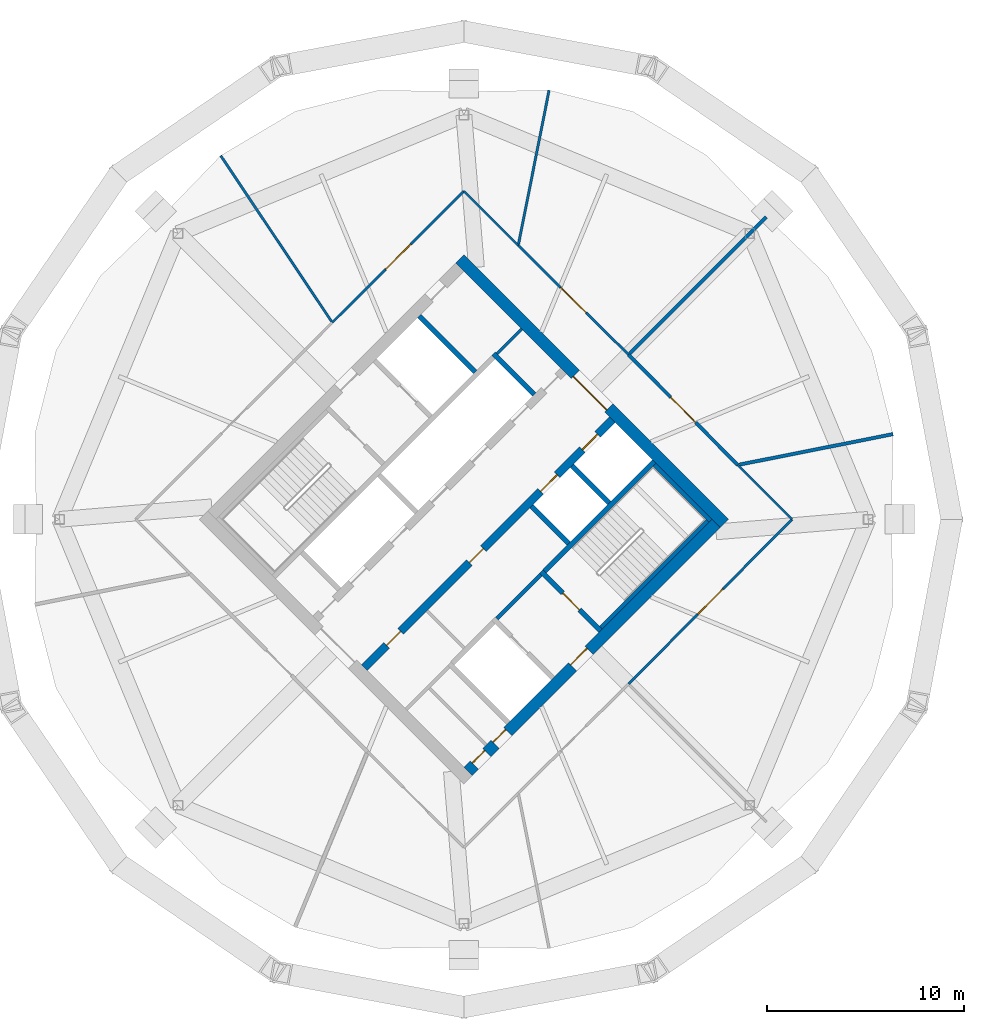
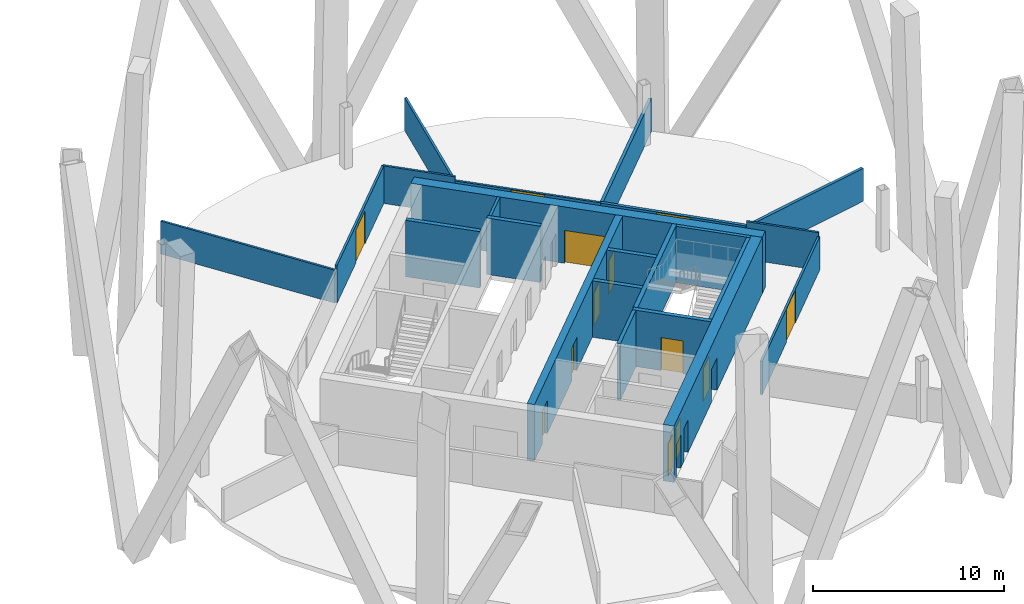
# One storey, part 7 of 10: 23 walls, 13 doors, 13 openings.
"""IFC4 building model written with IfcOpenShell, lengths in metres."""

from ifc_helpers import new_model, si_unit, direction, frame, frame_2d, origin, place, context, subcontext, project, spatial, rectangle, extrude, material, layer, layer_set, type_object, element, fill, save


model = new_model("IFC4")

# Units and contexts
model_context = context("Model", 3, precision=1e-05, world=origin(), true_north=direction((0.0, 1.0)))
body_context = subcontext(model_context, "Body", "Model", "MODEL_VIEW")
ifc_project = project(units=[si_unit("LENGTHUNIT", "METRE"), si_unit("AREAUNIT", "SQUARE_METRE"), si_unit("VOLUMEUNIT", "CUBIC_METRE"), si_unit("PLANEANGLEUNIT", "RADIAN"), si_unit("MASSUNIT", "GRAM", prefix="KILO")], contexts=[model_context])

# Site, building, storey
site_placement = place(None, origin())
site = spatial("IfcSite", under=ifc_project, at=site_placement, CompositionType="ELEMENT")
building_placement = place(site_placement, origin())
building = spatial("IfcBuilding", under=site, at=building_placement, Name="Ogive Gate Towers", CompositionType="ELEMENT")
storey_placement = place(building_placement, frame((0.0, 0.0, 185.10009765625)))
storey = spatial("IfcBuildingStorey", under=building, at=storey_placement, Name="L44", CompositionType="ELEMENT", Elevation=185.10009765625)

# Walls
ifc_material_1 = material(Name="Gypsum board acoustic partition")
ifc_layer_1 = layer(ifc_material_1, 0.175048828125)
ifc_layer_set_1 = layer_set([ifc_layer_1], Name="Acoustic partition 175")
wall_type_1 = type_object("IfcWallType", Name="Acoustic partition 175", PredefinedType="PARTITIONING", material=ifc_layer_set_1)
wall_1_placement = place(storey_placement, frame((57.784423828125, 4.324951171875, 0.0), z_axis=(0.0, 0.0, 1.0), x_axis=(-0.980858380129, -0.19472246437, 0.0)))
element("IfcWall", 1, at=wall_1_placement, inside=storey, type_object=wall_type_1, Name="Partition T2-L44-001", PredefinedType="PARTITIONING", context=body_context, shape_type="SweptSolid", body=[
    extrude(rectangle(XDim=7.951416015625, YDim=0.175048828125, at=frame_2d((3.9755859375, 0.0))), origin(), (0.0, 0.0, 1.0), 2.099853515625),
])
wall_2_placement = place(storey_placement, frame((51.3505859375, 15.3505859375, 0.0), z_axis=(0.0, 0.0, 1.0), x_axis=(-0.707106781187, -0.707106781187, 0.0)))
element("IfcWall", 2, at=wall_2_placement, inside=storey, type_object=wall_type_1, Name="Partition T2-L44-002", PredefinedType="PARTITIONING", context=body_context, shape_type="SweptSolid", body=[
    extrude(rectangle(XDim=9.801513671875, YDim=0.175048828125, at=frame_2d((4.90087890625, 0.0))), origin(), (0.0, 0.0, 1.0), 2.099853515625),
])

# Wall, opening, door
wall_3_placement = place(storey_placement, frame((49.8994140625, 2.759521484375, 0.0), z_axis=(0.0, 0.0, 1.0), x_axis=(-0.703486838198, 0.710708286488, 0.0)))
wall_3 = element("IfcWall", 3, at=wall_3_placement, inside=storey, type_object=wall_type_1, Name="Partition T2-L44-020", PredefinedType="PARTITIONING", context=body_context, shape_type="SweptSolid", body=[
    extrude(rectangle(XDim=7.877197265625, YDim=0.175048828125, at=frame_2d((3.9384765625, 0.0))), origin(), (0.0, 0.0, 1.0), 2.139892578125),
])
opening_1_placement = place(wall_3_placement, frame((3.0390625, 0.0, 0.0)))
opening_1 = element("IfcOpeningElement", 4, at=opening_1_placement, cuts=wall_3, Name="Opening T2-L44-D08", PredefinedType="OPENING", context=body_context, shape_type="SweptSolid", body=[
    extrude(rectangle(XDim=1.800048828125, YDim=2.10009765625, at=frame_2d((0.89990234375, 1.050048828125))), frame((0.0, 0.09765625, 0.0), z_axis=(0.0, -1.0, 0.0), x_axis=(1.0, 0.0, 0.0)), (0.0, 0.0, 1.0), 0.195068359375),
])
ifc_material_2 = material(Name="Timber door", Category="wood")
door_type_1 = type_object("IfcDoorType", Name="Door pair 1800", OperationType="NOTDEFINED", PredefinedType="DOOR", material=ifc_material_2)
door_1_placement = place(opening_1_placement, origin())
door_1 = element("IfcDoor", 5, at=door_1_placement, inside=storey, type_object=door_type_1, Name="Door T2-L44-D08", OperationType="DOUBLE_DOOR_DOUBLE_SWING", OverallHeight=2.10009765625, OverallWidth=1.800048828125, PredefinedType="DOOR", context=body_context, shape_type="SweptSolid", body=[
    extrude(rectangle(XDim=1.800048828125, YDim=2.10009765625, at=frame_2d((0.89990234375, 1.050048828125))), frame((0.0, 0.02490234375, 0.0), z_axis=(0.0, -1.0, 0.0), x_axis=(1.0, 0.0, 0.0)), (0.0, 0.0, 1.0), 0.050048828125),
])
fill(opening_1, door_1)

# Wall
ifc_material_3 = material(Name="Masonry blockwork", Category="masonry")
ifc_layer_2 = layer(ifc_material_3, 0.199951171875)
ifc_layer_set_2 = layer_set([ifc_layer_2], Name="Blockwork wall 200 mm")
wall_type_2 = type_object("IfcWallType", Name="Blockwork wall 200 mm", PredefinedType="PARTITIONING", material=ifc_layer_set_2)
wall_4_placement = place(storey_placement, frame((37.679443359375, -5.0380859375, 0.0), z_axis=(0.0, 0.0, 1.0), x_axis=(0.707106781187, 0.707106781187, 0.0)))
element("IfcWall", 6, at=wall_4_placement, inside=storey, type_object=wall_type_2, Name="T2 L44 Blockwork wall 200 mm", PredefinedType="PARTITIONING", context=body_context, shape_type="SweptSolid", body=[
    extrude(rectangle(XDim=3.14990234375, YDim=0.199951171875, at=frame_2d((1.574951171875, 0.0))), origin(), (0.0, 0.0, 1.0), 3.599853515625),
])

# Wall, openings, doors
ifc_material_4 = material(Name="Concrete C60/75", Category="concrete")
ifc_layer_3 = layer(ifc_material_4, 0.60009765625)
ifc_layer_set_3 = layer_set([ifc_layer_3], Name="Core wall 600 mm")
wall_type_3 = type_object("IfcWallType", Name="Core wall 600 mm", PredefinedType="SHEAR", material=ifc_layer_set_3)
wall_5_placement = place(storey_placement, frame((36.212158203125, -12.798583984375, 0.0), z_axis=(0.0, 0.0, 1.0), x_axis=(0.707106781187, 0.707106781187, 0.0)))
wall_5 = element("IfcWall", 7, at=wall_5_placement, inside=storey, type_object=wall_type_3, Name="T2 L44 Core wall 600 mm", PredefinedType="SHEAR", context=body_context, shape_type="SweptSolid", body=[
    extrude(rectangle(XDim=17.7998046875, YDim=0.60009765625, at=frame_2d((8.89990234375, 0.0))), origin(), (0.0, 0.0, 1.0), 3.599853515625),
])
opening_2_placement = place(wall_5_placement, frame((7.5, 0.0, 0.0)))
opening_2 = element("IfcOpeningElement", 8, at=opening_2_placement, cuts=wall_5, Name="Opening KD-T2-L44-19", PredefinedType="OPENING", context=body_context, shape_type="SweptSolid", body=[
    extrude(rectangle(XDim=1.199951171875, YDim=2.10009765625, at=frame_2d((0.60009765625, 1.050048828125))), frame((0.0, 0.31005859375, 0.0), z_axis=(0.0, -1.0, 0.0), x_axis=(1.0, 0.0, 0.0)), (0.0, 0.0, 1.0), 0.6201171875),
])
opening_3_placement = place(wall_5_placement, frame((0.449951171875, 0.0, 0.0)))
opening_3 = element("IfcOpeningElement", 9, at=opening_3_placement, cuts=wall_5, Name="Opening KD-T2-L44-21", PredefinedType="OPENING", context=body_context, shape_type="SweptSolid", body=[
    extrude(rectangle(XDim=0.89990234375, YDim=2.10009765625, at=frame_2d((0.449951171875, 1.050048828125))), frame((0.0, 0.31005859375, 0.0), z_axis=(0.0, -1.0, 0.0), x_axis=(1.0, 0.0, 0.0)), (0.0, 0.0, 1.0), 0.6201171875),
])
opening_4_placement = place(wall_5_placement, frame((1.949951171875, 0.0, 0.0)))
opening_4 = element("IfcOpeningElement", 10, at=opening_4_placement, cuts=wall_5, Name="Opening KD-T2-L44-22", PredefinedType="OPENING", context=body_context, shape_type="SweptSolid", body=[
    extrude(rectangle(XDim=0.89990234375, YDim=2.10009765625, at=frame_2d((0.449951171875, 1.050048828125))), frame((0.0, 0.31005859375, 0.0), z_axis=(0.0, -1.0, 0.0), x_axis=(1.0, 0.0, 0.0)), (0.0, 0.0, 1.0), 0.6201171875),
])
door_type_2 = type_object("IfcDoorType", Name="Core WC door 900 x 2100", OperationType="NOTDEFINED", PredefinedType="DOOR", material=ifc_material_2)
door_2_placement = place(opening_3_placement, origin())
door_2 = element("IfcDoor", 11, at=door_2_placement, inside=storey, type_object=door_type_2, Name="T2 L44 Core door", OperationType="SINGLE_SWING_RIGHT", OverallHeight=2.10009765625, OverallWidth=0.89990234375, PredefinedType="DOOR", context=body_context, shape_type="SweptSolid", body=[
    extrude(rectangle(XDim=0.89990234375, YDim=2.10009765625, at=frame_2d((0.449951171875, 1.050048828125))), frame((0.0, 0.1748046875, 0.0), z_axis=(0.0, -1.0, 0.0), x_axis=(1.0, 0.0, 0.0)), (0.0, 0.0, 1.0), 0.050048828125),
])
fill(opening_3, door_2)
door_3_placement = place(opening_4_placement, origin())
door_3 = element("IfcDoor", 12, at=door_3_placement, inside=storey, type_object=door_type_2, Name="T2 L44 Core door", OperationType="SINGLE_SWING_LEFT", OverallHeight=2.10009765625, OverallWidth=0.89990234375, PredefinedType="DOOR", context=body_context, shape_type="SweptSolid", body=[
    extrude(rectangle(XDim=0.89990234375, YDim=2.10009765625, at=frame_2d((0.449951171875, 1.050048828125))), frame((0.0, 0.1748046875, 0.0), z_axis=(0.0, -1.0, 0.0), x_axis=(1.0, 0.0, 0.0)), (0.0, 0.0, 1.0), 0.050048828125),
])
fill(opening_4, door_3)
ifc_material_5 = material(Name="Steel fire door", Category="steel")
door_type_3 = type_object("IfcDoorType", Name="Core door FD60S 1200 x 2100", OperationType="NOTDEFINED", PredefinedType="DOOR", material=ifc_material_5)
door_4_placement = place(opening_2_placement, origin())
door_4 = element("IfcDoor", 13, at=door_4_placement, inside=storey, type_object=door_type_3, Name="T2 L44 Fire-fighting lobby door", OperationType="SINGLE_SWING_RIGHT", OverallHeight=2.10009765625, OverallWidth=1.199951171875, PredefinedType="DOOR", context=body_context, shape_type="SweptSolid", body=[
    extrude(rectangle(XDim=1.199951171875, YDim=2.10009765625, at=frame_2d((0.60009765625, 1.050048828125))), frame((0.0, 0.1748046875, 0.0), z_axis=(0.0, -1.0, 0.0), x_axis=(1.0, 0.0, 0.0)), (0.0, 0.0, 1.0), 0.050048828125),
])
fill(opening_2, door_4)

# Wall, opening, door
wall_6_placement = place(storey_placement, frame((49.222900390625, -0.212158203125, 0.0), z_axis=(0.0, 0.0, 1.0), x_axis=(-0.707106781187, 0.707106781187, 0.0)))
wall_6 = element("IfcWall", 14, at=wall_6_placement, inside=storey, type_object=wall_type_3, Name="T2 L44 Core wall 600 mm", PredefinedType="SHEAR", context=body_context, shape_type="SweptSolid", body=[
    extrude(rectangle(XDim=19.0, YDim=0.60009765625, at=frame_2d((9.5, 0.0))), origin(), (0.0, 0.0, 1.0), 3.599853515625),
])
opening_5_placement = place(wall_6_placement, frame((8.300048828125, 0.0, 0.0)))
opening_5 = element("IfcOpeningElement", 15, at=opening_5_placement, cuts=wall_6, Name="Opening KD-T2-L44-02", PredefinedType="OPENING", context=body_context, shape_type="SweptSolid", body=[
    extrude(rectangle(XDim=2.39990234375, YDim=2.10009765625, at=frame_2d((1.199951171875, 1.050048828125))), frame((0.0, 0.31005859375, 0.0), z_axis=(0.0, -1.0, 0.0), x_axis=(1.0, 0.0, 0.0)), (0.0, 0.0, 1.0), 0.6201171875),
])
door_type_4 = type_object("IfcDoorType", Name="Core double door FD60S 2400 x 2100", OperationType="DOUBLE_DOOR_SINGLE_SWING", PredefinedType="DOOR", material=ifc_material_5)
door_5_placement = place(opening_5_placement, origin())
door_5 = element("IfcDoor", 16, at=door_5_placement, inside=storey, type_object=door_type_4, Name="T2 L44 Core door double", OperationType="DOUBLE_DOOR_SINGLE_SWING", OverallHeight=2.10009765625, OverallWidth=2.39990234375, PredefinedType="DOOR", context=body_context, shape_type="SweptSolid", body=[
    extrude(rectangle(XDim=2.39990234375, YDim=2.10009765625, at=frame_2d((1.199951171875, 1.050048828125))), frame((0.0, 0.1748046875, 0.0), z_axis=(0.0, -1.0, 0.0), x_axis=(1.0, 0.0, 0.0)), (0.0, 0.0, 1.0), 0.050048828125),
])
fill(opening_5, door_5)

# Walls
ifc_material_6 = material(Name="Gypsum board partition")
ifc_layer_4 = layer(ifc_material_6, 0.125)
ifc_layer_set_4 = layer_set([ifc_layer_4], Name="Partition 125")
wall_type_4 = type_object("IfcWallType", Name="Partition 125", PredefinedType="PARTITIONING", material=ifc_layer_set_4)
wall_7_placement = place(storey_placement, frame((40.324951171875, 21.784423828125, 0.0), z_axis=(0.0, 0.0, 1.0), x_axis=(-0.194756262112, -0.980851669911, 0.0)))
element("IfcWall", 17, at=wall_7_placement, inside=storey, type_object=wall_type_4, Name="Partition T2-L44-003", PredefinedType="PARTITIONING", context=body_context, shape_type="SweptSolid", body=[
    extrude(rectangle(XDim=7.9765625, YDim=0.125, at=frame_2d((3.98828125, 0.0))), origin(), (0.0, 0.0, 1.0), 2.099853515625),
])
wall_8_placement = place(storey_placement, frame((23.654296875, 18.462158203125, 0.0), z_axis=(0.0, 0.0, 1.0), x_axis=(0.555873550817, -0.831266861785, 0.0)))
element("IfcWall", 18, at=wall_8_placement, inside=storey, type_object=wall_type_4, Name="Partition T2-L44-004", PredefinedType="PARTITIONING", context=body_context, shape_type="SweptSolid", body=[
    extrude(rectangle(XDim=10.126708984375, YDim=0.125, at=frame_2d((5.0634765625, 0.0))), origin(), (0.0, 0.0, 1.0), 2.099853515625),
])

# Wall, opening, door
wall_9_placement = place(storey_placement, frame((44.35791015625, 8.35791015625, 0.0), z_axis=(0.0, 0.0, 1.0), x_axis=(-0.710708286488, 0.703486838198, 0.0)))
wall_9 = element("IfcWall", 19, at=wall_9_placement, inside=storey, type_object=wall_type_4, Name="Partition T2-L44-009", PredefinedType="PARTITIONING", context=body_context, shape_type="SweptSolid", body=[
    extrude(rectangle(XDim=7.877197265625, YDim=0.125, at=frame_2d((3.9384765625, 0.0))), origin(), (0.0, 0.0, 1.0), 2.139892578125),
])
opening_6_placement = place(wall_9_placement, frame((3.0390625, 0.0, 0.0)))
opening_6 = element("IfcOpeningElement", 20, at=opening_6_placement, cuts=wall_9, Name="Opening T2-L44-D01", PredefinedType="OPENING", context=body_context, shape_type="SweptSolid", body=[
    extrude(rectangle(XDim=1.800048828125, YDim=2.10009765625, at=frame_2d((0.89990234375, 1.050048828125))), frame((0.0, 0.072509765625, 0.0), z_axis=(0.0, -1.0, 0.0), x_axis=(1.0, 0.0, 0.0)), (0.0, 0.0, 1.0), 0.14501953125),
])
door_6_placement = place(opening_6_placement, origin())
door_6 = element("IfcDoor", 21, at=door_6_placement, inside=storey, type_object=door_type_1, Name="Door T2-L44-D01", OperationType="DOUBLE_DOOR_DOUBLE_SWING", OverallHeight=2.10009765625, OverallWidth=1.800048828125, PredefinedType="DOOR", context=body_context, shape_type="SweptSolid", body=[
    extrude(rectangle(XDim=1.800048828125, YDim=2.10009765625, at=frame_2d((0.89990234375, 1.050048828125))), frame((0.0, 0.02490234375, 0.0), z_axis=(0.0, -1.0, 0.0), x_axis=(1.0, 0.0, 0.0)), (0.0, 0.0, 1.0), 0.050048828125),
])
fill(opening_6, door_6)

wall_10_placement = place(storey_placement, frame((36.0, 16.659423828125, 0.0), z_axis=(0.0, 0.0, 1.0), x_axis=(-0.707882286936, -0.706330423981, 0.0)))
wall_10 = element("IfcWall", 22, at=wall_10_placement, inside=storey, type_object=wall_type_4, Name="Partition T2-L44-010", PredefinedType="PARTITIONING", context=body_context, shape_type="SweptSolid", body=[
    extrude(rectangle(XDim=9.439208984375, YDim=0.125, at=frame_2d((4.7197265625, 0.0))), origin(), (0.0, 0.0, 1.0), 2.39990234375),
])
opening_7_placement = place(wall_10_placement, frame((3.820068359375, 0.0, 0.0)))
opening_7 = element("IfcOpeningElement", 23, at=opening_7_placement, cuts=wall_10, Name="Opening T2-L44-D02", PredefinedType="OPENING", context=body_context, shape_type="SweptSolid", body=[
    extrude(rectangle(XDim=1.800048828125, YDim=2.10009765625, at=frame_2d((0.89990234375, 1.050048828125))), frame((0.0, 0.072509765625, 0.0), z_axis=(0.0, -1.0, 0.0), x_axis=(1.0, 0.0, 0.0)), (0.0, 0.0, 1.0), 0.14501953125),
])
door_7_placement = place(opening_7_placement, origin())
door_7 = element("IfcDoor", 24, at=door_7_placement, inside=storey, type_object=door_type_1, Name="Door T2-L44-D02", OperationType="DOUBLE_DOOR_DOUBLE_SWING", OverallHeight=2.10009765625, OverallWidth=1.800048828125, PredefinedType="DOOR", context=body_context, shape_type="SweptSolid", body=[
    extrude(rectangle(XDim=1.800048828125, YDim=2.10009765625, at=frame_2d((0.89990234375, 1.050048828125))), frame((0.0, 0.02490234375, 0.0), z_axis=(0.0, -1.0, 0.0), x_axis=(1.0, 0.0, 0.0)), (0.0, 0.0, 1.0), 0.050048828125),
])
fill(opening_7, door_7)

# Wall
wall_11_placement = place(storey_placement, frame((38.759521484375, 13.8994140625, 0.0), z_axis=(0.0, 0.0, 1.0), x_axis=(-0.707044224741, 0.707169332098, 0.0)))
element("IfcWall", 25, at=wall_11_placement, inside=storey, type_object=wall_type_4, Name="Partition T2-L44-011", PredefinedType="PARTITIONING", context=body_context, shape_type="SweptSolid", body=[
    extrude(rectangle(XDim=3.90283203125, YDim=0.125, at=frame_2d((1.951416015625, 0.0))), origin(), (0.0, 0.0, 1.0), 2.39990234375),
])

# Wall, opening, door
wall_12_placement = place(storey_placement, frame((44.35791015625, -8.35791015625, 0.0), z_axis=(0.0, 0.0, 1.0), x_axis=(0.70470900278, 0.709496456229, 0.0)))
wall_12 = element("IfcWall", 26, at=wall_12_placement, inside=storey, type_object=wall_type_4, Name="Partition T2-L44-018", PredefinedType="PARTITIONING", context=body_context, shape_type="SweptSolid", body=[
    extrude(rectangle(XDim=11.780029296875, YDim=0.125, at=frame_2d((5.89013671875, 0.0))), origin(), (0.0, 0.0, 1.0), 2.139892578125),
])
opening_8_placement = place(wall_12_placement, frame((4.989990234375, 0.0, 0.0)))
opening_8 = element("IfcOpeningElement", 27, at=opening_8_placement, cuts=wall_12, Name="Opening T2-L44-D07", PredefinedType="OPENING", context=body_context, shape_type="SweptSolid", body=[
    extrude(rectangle(XDim=1.800048828125, YDim=2.10009765625, at=frame_2d((0.89990234375, 1.050048828125))), frame((0.0, 0.072509765625, 0.0), z_axis=(0.0, -1.0, 0.0), x_axis=(1.0, 0.0, 0.0)), (0.0, 0.0, 1.0), 0.14501953125),
])
door_8_placement = place(opening_8_placement, origin())
door_8 = element("IfcDoor", 28, at=door_8_placement, inside=storey, type_object=door_type_1, Name="Door T2-L44-D07", OperationType="DOUBLE_DOOR_DOUBLE_SWING", OverallHeight=2.10009765625, OverallWidth=1.800048828125, PredefinedType="DOOR", context=body_context, shape_type="SweptSolid", body=[
    extrude(rectangle(XDim=1.800048828125, YDim=2.10009765625, at=frame_2d((0.89990234375, 1.050048828125))), frame((0.0, 0.02490234375, 0.0), z_axis=(0.0, -1.0, 0.0), x_axis=(1.0, 0.0, 0.0)), (0.0, 0.0, 1.0), 0.050048828125),
])
fill(opening_8, door_8)

# Walls
wall_13_placement = place(storey_placement, frame((52.659423828125, 0.0, 0.0), z_axis=(0.0, 0.0, 1.0), x_axis=(-0.707169332098, 0.707044224741, 0.0)))
element("IfcWall", 29, at=wall_13_placement, inside=storey, type_object=wall_type_4, Name="Partition T2-L44-019", PredefinedType="PARTITIONING", context=body_context, shape_type="SweptSolid", body=[
    extrude(rectangle(XDim=3.90283203125, YDim=0.125, at=frame_2d((1.951416015625, 0.0))), origin(), (0.0, 0.0, 1.0), 2.39990234375),
])
ifc_layer_5 = layer(ifc_material_6, 0.14990234375)
ifc_layer_set_5 = layer_set([ifc_layer_5], Name="Room partition 150 mm")
wall_type_5 = type_object("IfcWallType", Name="Room partition 150 mm", PredefinedType="PARTITIONING", material=ifc_layer_set_5)
wall_14_placement = place(storey_placement, frame((37.679443359375, 8.39697265625, 0.0), z_axis=(0.0, 0.0, 1.0), x_axis=(0.707106781187, 0.707106781187, 0.0)))
element("IfcWall", 30, at=wall_14_placement, inside=storey, type_object=wall_type_5, Name="T2 L44 Room partition 150 mm", PredefinedType="PARTITIONING", context=body_context, shape_type="SweptSolid", body=[
    extrude(rectangle(XDim=1.77490234375, YDim=0.14990234375, at=frame_2d((0.887451171875, 0.0))), origin(), (0.0, 0.0, 1.0), 3.599853515625),
])
ifc_layer_6 = layer(ifc_material_4, 0.25)
ifc_layer_set_6 = layer_set([ifc_layer_6], Name="Shaft wall 250 mm")
wall_type_6 = type_object("IfcWallType", Name="Shaft wall 250 mm", PredefinedType="SHEAR", material=ifc_layer_set_6)
wall_15_placement = place(storey_placement, frame((40.08349609375, -2.634033203125, 0.0), z_axis=(0.0, 0.0, 1.0), x_axis=(0.707106781187, 0.707106781187, 0.0)))
element("IfcWall", 31, at=wall_15_placement, inside=storey, type_object=wall_type_6, Name="T2 L44 Shaft wall 250 mm", PredefinedType="SHEAR", context=body_context, shape_type="SweptSolid", body=[
    extrude(rectangle(XDim=7.875244140625, YDim=0.25, at=frame_2d((3.9375, 0.0))), origin(), (0.0, 0.0, 1.0), 3.599853515625),
])

# Wall, opening, door
wall_16_placement = place(storey_placement, frame((42.9296875, -5.656982421875, 0.0), z_axis=(0.0, 0.0, 1.0), x_axis=(-0.707106781187, 0.707106781187, 0.0)))
wall_16 = element("IfcWall", 32, at=wall_16_placement, inside=storey, type_object=wall_type_6, Name="T2 L44 Shaft wall 250 mm", PredefinedType="SHEAR", context=body_context, shape_type="SweptSolid", body=[
    extrude(rectangle(XDim=4.250244140625, YDim=0.25, at=frame_2d((2.125, 0.0))), origin(), (0.0, 0.0, 1.0), 3.599853515625),
])
opening_9_placement = place(wall_16_placement, frame((1.5, 0.0, 0.0)))
opening_9 = element("IfcOpeningElement", 33, at=opening_9_placement, cuts=wall_16, Name="Opening KD-T2-L44-17", PredefinedType="OPENING", context=body_context, shape_type="SweptSolid", body=[
    extrude(rectangle(XDim=1.199951171875, YDim=2.10009765625, at=frame_2d((0.60009765625, 1.050048828125))), frame((0.0, 0.135009765625, 0.0), z_axis=(0.0, -1.0, 0.0), x_axis=(1.0, 0.0, 0.0)), (0.0, 0.0, 1.0), 0.27001953125),
])
door_9_placement = place(opening_9_placement, origin())
door_9 = element("IfcDoor", 34, at=door_9_placement, inside=storey, type_object=door_type_3, Name="T2 L44 Stair door", OperationType="SINGLE_SWING_RIGHT", OverallHeight=2.10009765625, OverallWidth=1.199951171875, PredefinedType="DOOR", context=body_context, shape_type="SweptSolid", body=[
    extrude(rectangle(XDim=1.199951171875, YDim=2.10009765625, at=frame_2d((0.60009765625, 1.050048828125))), frame((0.0, 0.02490234375, 0.0), z_axis=(0.0, -1.0, 0.0), x_axis=(1.0, 0.0, 0.0)), (0.0, 0.0, 1.0), 0.050048828125),
])
fill(opening_9, door_9)

# Walls
wall_17_placement = place(storey_placement, frame((41.321044921875, -1.2197265625, 0.0), z_axis=(0.0, 0.0, 1.0), x_axis=(-0.707106781187, 0.707106781187, 0.0)))
element("IfcWall", 35, at=wall_17_placement, inside=storey, type_object=wall_type_6, Name="T2 L44 Shaft wall 250 mm", PredefinedType="SHEAR", context=body_context, shape_type="SweptSolid", body=[
    extrude(rectangle(XDim=2.675048828125, YDim=0.25, at=frame_2d((1.33740234375, 0.0))), origin(), (0.0, 0.0, 1.0), 3.599853515625),
])
wall_18_placement = place(storey_placement, frame((36.58349609375, 7.477783203125, 0.0), z_axis=(0.0, 0.0, 1.0), x_axis=(-0.707137108942, 0.70707645213, 0.0)))
element("IfcWall", 36, at=wall_18_placement, inside=storey, type_object=wall_type_6, Name="T2 L44 Shaft wall 250 mm", PredefinedType="SHEAR", context=body_context, shape_type="SweptSolid", body=[
    extrude(rectangle(XDim=4.02490234375, YDim=0.25, at=frame_2d((2.012451171875, 0.0))), origin(), (0.0, 0.0, 1.0), 3.599853515625),
])
wall_19_placement = place(storey_placement, frame((43.37158203125, 0.830810546875, 0.0), z_axis=(0.0, 0.0, 1.0), x_axis=(-0.707106781187, 0.707106781187, 0.0)))
element("IfcWall", 37, at=wall_19_placement, inside=storey, type_object=wall_type_6, Name="T2 L44 Shaft wall 250 mm", PredefinedType="SHEAR", context=body_context, shape_type="SweptSolid", body=[
    extrude(rectangle(XDim=2.675048828125, YDim=0.25, at=frame_2d((1.33740234375, 0.0))), origin(), (0.0, 0.0, 1.0), 3.599853515625),
])
wall_20_placement = place(storey_placement, frame((39.57080078125, 6.32861328125, 0.0), z_axis=(0.0, 0.0, 1.0), x_axis=(-0.707065045505, 0.707148514405, 0.0)))
element("IfcWall", 38, at=wall_20_placement, inside=storey, type_object=wall_type_6, Name="T2 L44 Shaft wall 250 mm", PredefinedType="SHEAR", context=body_context, shape_type="SweptSolid", body=[
    extrude(rectangle(XDim=2.925048828125, YDim=0.25, at=frame_2d((1.46240234375, 0.0))), origin(), (0.0, 0.0, 1.0), 3.599853515625),
])

# Wall, openings, doors
ifc_layer_7 = layer(ifc_material_4, 0.39990234375)
ifc_layer_set_7 = layer_set([ifc_layer_7], Name="Spine wall 400 mm")
wall_type_7 = type_object("IfcWallType", Name="Spine wall 400 mm", PredefinedType="SHEAR", material=ifc_layer_set_7)
wall_21_placement = place(storey_placement, frame((30.944091796875, -7.53076171875, 0.0), z_axis=(0.0, 0.0, 1.0), x_axis=(0.707106781187, 0.707106781187, 0.0)))
wall_21 = element("IfcWall", 39, at=wall_21_placement, inside=storey, type_object=wall_type_7, Name="T2 L44 Spine wall 400 mm", PredefinedType="SHEAR", context=body_context, shape_type="SweptSolid", body=[
    extrude(rectangle(XDim=17.80029296875, YDim=0.39990234375, at=frame_2d((8.900146484375, 0.0))), origin(), (0.0, 0.0, 1.0), 3.599853515625),
])
opening_10_placement = place(wall_21_placement, frame((12.64990234375, 0.0, 0.0)))
opening_10 = element("IfcOpeningElement", 40, at=opening_10_placement, cuts=wall_21, Name="Opening LD-T2-L44-10", PredefinedType="OPENING", context=body_context, shape_type="SweptSolid", body=[
    extrude(rectangle(XDim=1.199951171875, YDim=2.10009765625, at=frame_2d((0.60009765625, 1.050048828125))), frame((0.0, 0.2099609375, 0.0), z_axis=(0.0, -1.0, 0.0), x_axis=(1.0, 0.0, 0.0)), (0.0, 0.0, 1.0), 0.419921875),
])
opening_11_placement = place(wall_21_placement, frame((15.64990234375, 0.0, 0.0)))
opening_11 = element("IfcOpeningElement", 41, at=opening_11_placement, cuts=wall_21, Name="Opening LD-T2-L44-11", PredefinedType="OPENING", context=body_context, shape_type="SweptSolid", body=[
    extrude(rectangle(XDim=1.10009765625, YDim=2.10009765625, at=frame_2d((0.550048828125, 1.050048828125))), frame((0.0, 0.2099609375, 0.0), z_axis=(0.0, -1.0, 0.0), x_axis=(1.0, 0.0, 0.0)), (0.0, 0.0, 1.0), 0.419921875),
])
opening_12_placement = place(wall_21_placement, frame((1.60009765625, 0.0, 0.0)))
opening_12 = element("IfcOpeningElement", 42, at=opening_12_placement, cuts=wall_21, Name="Opening KD-T2-L44-14", PredefinedType="OPENING", context=body_context, shape_type="SweptSolid", body=[
    extrude(rectangle(XDim=1.0, YDim=2.10009765625, at=frame_2d((0.5, 1.050048828125))), frame((0.0, 0.2099609375, 0.0), z_axis=(0.0, -1.0, 0.0), x_axis=(1.0, 0.0, 0.0)), (0.0, 0.0, 1.0), 0.419921875),
])
opening_13_placement = place(wall_21_placement, frame((7.550048828125, 0.0, 0.0)))
opening_13 = element("IfcOpeningElement", 43, at=opening_13_placement, cuts=wall_21, Name="Opening KD-T2-L44-15", PredefinedType="OPENING", context=body_context, shape_type="SweptSolid", body=[
    extrude(rectangle(XDim=1.0, YDim=2.10009765625, at=frame_2d((0.5, 1.050048828125))), frame((0.0, 0.2099609375, 0.0), z_axis=(0.0, -1.0, 0.0), x_axis=(1.0, 0.0, 0.0)), (0.0, 0.0, 1.0), 0.419921875),
])
door_type_5 = type_object("IfcDoorType", Name="Core door FD60S 1000 x 2100", OperationType="NOTDEFINED", PredefinedType="DOOR", material=ifc_material_5)
door_10_placement = place(opening_12_placement, origin())
door_10 = element("IfcDoor", 44, at=door_10_placement, inside=storey, type_object=door_type_5, Name="T2 L44 Core door", OperationType="SINGLE_SWING_LEFT", OverallHeight=2.10009765625, OverallWidth=1.0, PredefinedType="DOOR", context=body_context, shape_type="SweptSolid", body=[
    extrude(rectangle(XDim=1.0, YDim=2.10009765625, at=frame_2d((0.5, 1.050048828125))), frame((0.0, 0.02490234375, 0.0), z_axis=(0.0, -1.0, 0.0), x_axis=(1.0, 0.0, 0.0)), (0.0, 0.0, 1.0), 0.050048828125),
])
fill(opening_12, door_10)
door_11_placement = place(opening_13_placement, origin())
door_11 = element("IfcDoor", 45, at=door_11_placement, inside=storey, type_object=door_type_5, Name="T2 L44 Core door", OperationType="SINGLE_SWING_RIGHT", OverallHeight=2.10009765625, OverallWidth=1.0, PredefinedType="DOOR", context=body_context, shape_type="SweptSolid", body=[
    extrude(rectangle(XDim=1.0, YDim=2.10009765625, at=frame_2d((0.5, 1.050048828125))), frame((0.0, 0.02490234375, 0.0), z_axis=(0.0, -1.0, 0.0), x_axis=(1.0, 0.0, 0.0)), (0.0, 0.0, 1.0), 0.050048828125),
])
fill(opening_13, door_11)
ifc_material_7 = material(Name="Stainless steel landing door", Category="steel")
door_type_6 = type_object("IfcDoorType", Name="Landing door 1100 x 2100", OperationType="SLIDING_TO_LEFT", PredefinedType="DOOR", material=ifc_material_7)
door_12_placement = place(opening_11_placement, origin())
door_12 = element("IfcDoor", 46, at=door_12_placement, inside=storey, type_object=door_type_6, Name="T2 L44 Lift landing door B6", OperationType="SLIDING_TO_LEFT", OverallHeight=2.10009765625, OverallWidth=1.10009765625, PredefinedType="DOOR", context=body_context, shape_type="SweptSolid", body=[
    extrude(rectangle(XDim=1.10009765625, YDim=2.10009765625, at=frame_2d((0.550048828125, 1.050048828125))), frame((0.0, 0.02490234375, 0.0), z_axis=(0.0, -1.0, 0.0), x_axis=(1.0, 0.0, 0.0)), (0.0, 0.0, 1.0), 0.050048828125),
])
fill(opening_11, door_12)
door_type_7 = type_object("IfcDoorType", Name="Landing door 1200 x 2100", OperationType="SLIDING_TO_LEFT", PredefinedType="DOOR", material=ifc_material_7)
door_13_placement = place(opening_10_placement, origin())
door_13 = element("IfcDoor", 47, at=door_13_placement, inside=storey, type_object=door_type_7, Name="T2 L44 Lift landing door SVC", OperationType="SLIDING_TO_LEFT", OverallHeight=2.10009765625, OverallWidth=1.199951171875, PredefinedType="DOOR", context=body_context, shape_type="SweptSolid", body=[
    extrude(rectangle(XDim=1.199951171875, YDim=2.10009765625, at=frame_2d((0.60009765625, 1.050048828125))), frame((0.0, 0.02490234375, 0.0), z_axis=(0.0, -1.0, 0.0), x_axis=(1.0, 0.0, 0.0)), (0.0, 0.0, 1.0), 0.050048828125),
])
fill(opening_10, door_13)

# Walls
ifc_layer_8 = layer(ifc_material_4, 0.199951171875)
ifc_layer_set_8 = layer_set([ifc_layer_8], Name="Stair wall 200 mm")
wall_type_8 = type_object("IfcWallType", Name="Stair wall 200 mm", PredefinedType="SHEAR", material=ifc_layer_set_8)
wall_22_placement = place(storey_placement, frame((42.947265625, -5.497802734375, 0.0), z_axis=(0.0, 0.0, 1.0), x_axis=(0.707122685701, 0.707090876314, 0.0)))
element("IfcWall", 48, at=wall_22_placement, inside=storey, type_object=wall_type_8, Name="T2 L44 Stair wall 200 mm", PredefinedType="SHEAR", context=body_context, shape_type="SweptSolid", body=[
    extrude(rectangle(XDim=7.675048828125, YDim=0.199951171875, at=frame_2d((3.83740234375, 0.0))), origin(), (0.0, 0.0, 1.0), 3.599853515625),
])
wall_23_placement = place(storey_placement, frame((48.515869140625, -0.07080078125, 0.0), z_axis=(0.0, 0.0, 1.0), x_axis=(-0.707106781187, 0.707106781187, 0.0)))
element("IfcWall", 49, at=wall_23_placement, inside=storey, type_object=wall_type_8, Name="T2 L44 Stair wall 200 mm", PredefinedType="SHEAR", context=body_context, shape_type="SweptSolid", body=[
    extrude(rectangle(XDim=4.025146484375, YDim=0.199951171875, at=frame_2d((2.0126953125, 0.0))), origin(), (0.0, 0.0, 1.0), 3.599853515625),
])

save(model, "model.ifc")
